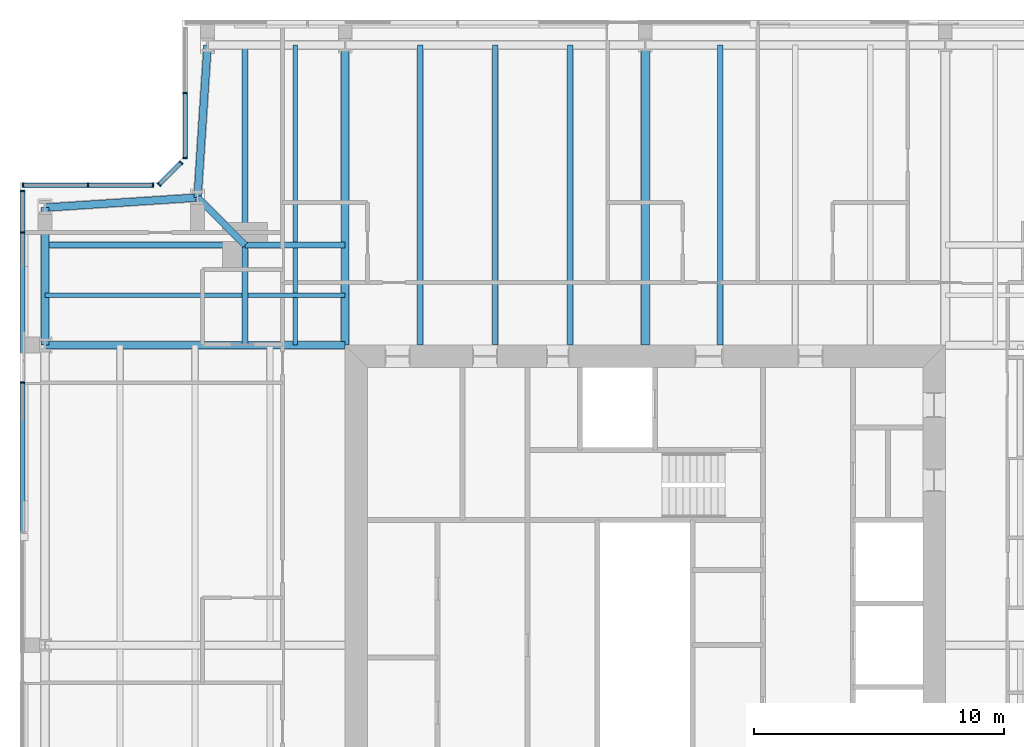
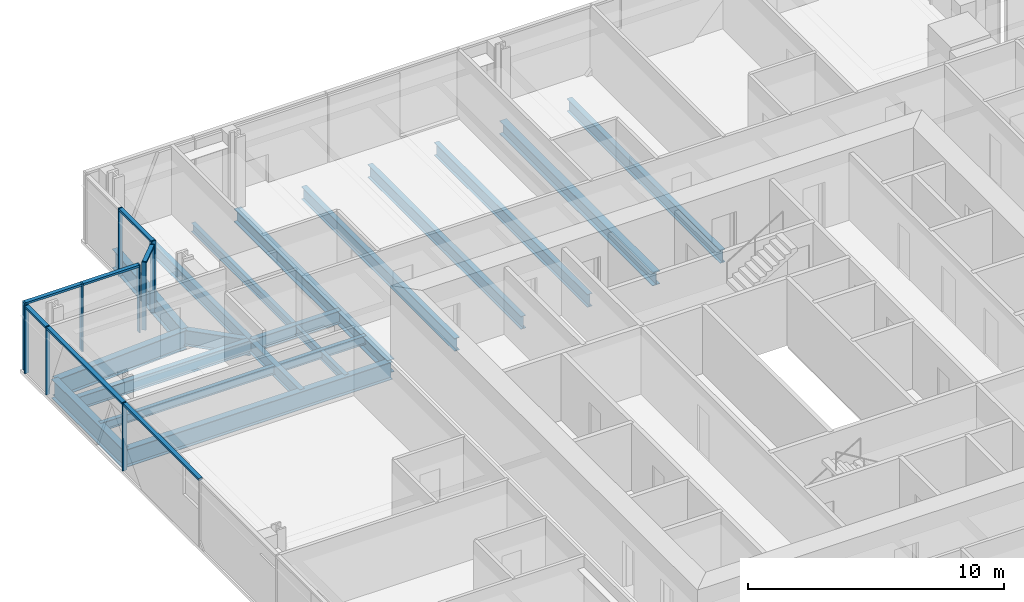
# One storey, part 7 of 18: 20 beams, 17 members, 4 elements without a shape of their own.
"""IFC4 building model written with IfcOpenShell, lengths in metres."""

from ifc_helpers import new_model, si_unit, direction, frame, origin, origin_2d, place, context, subcontext, project, spatial, rectangle, i_section, extrude, material, material_profile, profile_set, type_object, element, aggregate, save


model = new_model("IFC4")

# Units and contexts
model_context = context("Model", 3, precision=1e-05, world=origin(), true_north=direction((0.0, 1.0)))
body_context = subcontext(model_context, "Body", "Model", "MODEL_VIEW")
ifc_project = project(units=[si_unit("LENGTHUNIT", "METRE"), si_unit("AREAUNIT", "SQUARE_METRE"), si_unit("VOLUMEUNIT", "CUBIC_METRE"), si_unit("PLANEANGLEUNIT", "RADIAN"), si_unit("MASSUNIT", "GRAM", prefix="KILO")], contexts=[model_context])

# Site, building, storey
site_placement = place(None, origin())
site = spatial("IfcSite", under=ifc_project, at=site_placement, CompositionType="ELEMENT")
building_placement = place(site_placement, origin())
building = spatial("IfcBuilding", under=site, at=building_placement, Name="Fenwick Lantern Interchange", CompositionType="ELEMENT")
storey_placement = place(building_placement, frame((0.0, 0.0, 290.0)))
storey = spatial("IfcBuildingStorey", under=building, at=storey_placement, Name="L70", CompositionType="ELEMENT", Elevation=290.0)

# Beams
ifc_material_1 = material(Name="Steel ASTM A992 Grade 50", Category="steel")
ifc_material_profile_1 = material_profile(ifc_material_1, i_section(OverallWidth=0.3046875, OverallDepth=0.911865234375, WebThickness=0.015869140625, FlangeThickness=0.02392578125, at=origin_2d()), Name="W36X150")
ifc_profile_set_1 = profile_set([ifc_material_profile_1], Name="Steel ASTM A992 Grade 50")
beam_type_1 = type_object("IfcBeamType", Name="EDGE BEAM W36X150", PredefinedType="SPANDREL", material=ifc_profile_set_1)
for number, where, z_axis, x_axis, name in (
    (1, (7.5, 49.0, -0.60595703125), (-0.065416293237, -0.997858060337, 0.0), (0.997858060337, -0.065416293237, 0.0), "L70/FR/N/EBR1"),
    (2, (7.10009765625, 42.89990234375, -0.60595703125), (-0.997858060337, -0.065416293237, 0.0), (0.065416293237, -0.997858060337, 0.0), "L70/FR/N/EBR2"),
):
    element("IfcBeam", number, at=place(storey_placement, frame(where, z_axis=z_axis, x_axis=x_axis)), inside=storey, type_object=beam_type_1, Name=name, PredefinedType="SPANDREL", context=body_context, shape_type="SweptSolid", body=[
        extrude(i_section(OverallWidth=0.3046875, OverallDepth=0.911865234375, WebThickness=0.015869140625, FlangeThickness=0.02392578125, at=origin_2d()), origin(), (0.0, 0.0, 1.0), 6.11328125),
    ])
beam_1_placement = place(storey_placement, frame((1.0, 42.5, -0.60595703125), z_axis=(0.0, -1.0, 0.0), x_axis=(1.0, 0.0, 0.0)))
element("IfcBeam", 3, at=beam_1_placement, inside=storey, type_object=beam_type_1, Name="L70/FR/W/EB1", PredefinedType="SPANDREL", context=body_context, shape_type="SweptSolid", body=[
    extrude(i_section(OverallWidth=0.3046875, OverallDepth=0.911865234375, WebThickness=0.015869140625, FlangeThickness=0.02392578125, at=origin_2d()), origin(), (0.0, 0.0, 1.0), 5.5),
])
ifc_material_profile_2 = material_profile(ifc_material_1, i_section(OverallWidth=0.22900390625, OverallDepth=0.612060546875, WebThickness=0.011962890625, FlangeThickness=0.01953125, at=origin_2d()), Name="W24X84")
ifc_profile_set_2 = profile_set([ifc_material_profile_2], Name="Steel ASTM A992 Grade 50")
beam_type_2 = type_object("IfcBeamType", Name="FLOOR BEAM W24X84", PredefinedType="BEAM", material=ifc_profile_set_2)
for number, where, z_axis, x_axis, name in (
    (4, (28.0, 49.0, -0.4560546875), (0.0, -1.0, 0.0), (1.0, 0.0, 0.0), "L70/FR/N/R04"),
    (5, (22.0, 49.0, -0.4560546875), (0.0, -1.0, 0.0), (1.0, 0.0, 0.0), "L70/FR/N/R06"),
    (6, (19.0, 49.0, -0.4560546875), (0.0, -1.0, 0.0), (1.0, 0.0, 0.0), "L70/FR/N/R07"),
    (7, (16.0, 49.0, -0.4560546875), (0.0, -1.0, 0.0), (1.0, 0.0, 0.0), "L70/FR/N/R08"),
):
    element("IfcBeam", number, at=place(storey_placement, frame(where, z_axis=z_axis, x_axis=x_axis)), inside=storey, type_object=beam_type_2, Name=name, PredefinedType="BEAM", context=body_context, shape_type="SweptSolid", body=[
        extrude(i_section(OverallWidth=0.22900390625, OverallDepth=0.612060546875, WebThickness=0.011962890625, FlangeThickness=0.01953125, at=origin_2d()), origin(), (0.0, 0.0, 1.0), 12.0),
    ])

# Curtain wall, members
ifc_material_2 = material(Name="Aluminium curtain wall frame", Category="aluminium")
curtain_wall_type = type_object("IfcCurtainWallType", Name="HOTEL CURTAIN WALL", PredefinedType="USERDEFINED", material=ifc_material_2)
curtain_wall_1_placement = place(storey_placement, origin())
curtain_wall_1 = element("IfcCurtainWall", 8, at=curtain_wall_1_placement, inside=storey, type_object=curtain_wall_type, Name="Hotel curtain wall 10", ObjectType="HOTEL CURTAIN WALL", PredefinedType="USERDEFINED")
ifc_material_3 = material(Name="Aluminium extrusion", Category="aluminium")
ifc_material_profile_3 = material_profile(ifc_material_3, rectangle(XDim=0.179931640625, YDim=0.06005859375, at=origin_2d()), Name="HOTEL CURTAIN WALL MULLION 60 X 180")
ifc_profile_set_3 = profile_set([ifc_material_profile_3], Name="Aluminium extrusion")
member_type_1 = type_object("IfcMemberType", Name="HOTEL CURTAIN WALL MULLION 60 X 180", PredefinedType="MULLION", material=ifc_profile_set_3)
member_1_placement = place(storey_placement, frame((6.60009765625, 47.079345703125, 0.0), z_axis=(0.0, 0.0, 1.0), x_axis=(1.0, 0.0, 0.0)))
member_1 = element("IfcMember", 9, at=member_1_placement, type_object=member_type_1, Name="L70/CW/10/M01", PredefinedType="MULLION", context=body_context, shape_type="SweptSolid", body=[
    extrude(rectangle(XDim=0.179931640625, YDim=0.06005859375, at=origin_2d()), origin(), (0.0, 0.0, 1.0), 3.25),
])
member_2_placement = place(storey_placement, frame((6.60009765625, 44.488525390625, 0.0), z_axis=(0.0, 0.0, 1.0), x_axis=(1.0, 0.0, 0.0)))
member_2 = element("IfcMember", 10, at=member_2_placement, type_object=member_type_1, Name="L70/CW/10/M02", PredefinedType="MULLION", context=body_context, shape_type="SweptSolid", body=[
    extrude(rectangle(XDim=0.179931640625, YDim=0.06005859375, at=origin_2d()), origin(), (0.0, 0.0, 1.0), 3.25),
])

curtain_wall_2_placement = place(storey_placement, origin())
curtain_wall_2 = element("IfcCurtainWall", 11, at=curtain_wall_2_placement, inside=storey, type_object=curtain_wall_type, Name="Hotel curtain wall 11", ObjectType="HOTEL CURTAIN WALL", PredefinedType="USERDEFINED")
member_3_placement = place(storey_placement, frame((6.437255859375, 44.2958984375, 0.0), z_axis=(0.0, 0.0, 1.0), x_axis=(0.707106781187, -0.707106781187, 0.0)))
member_3 = element("IfcMember", 12, at=member_3_placement, type_object=member_type_1, Name="L70/CW/11/M00", PredefinedType="MULLION", context=body_context, shape_type="SweptSolid", body=[
    extrude(rectangle(XDim=0.179931640625, YDim=0.06005859375, at=origin_2d()), origin(), (0.0, 0.0, 1.0), 3.25),
])
member_4_placement = place(storey_placement, frame((5.562744140625, 43.421142578125, 0.0), z_axis=(0.0, 0.0, 1.0), x_axis=(0.707106781187, -0.707106781187, 0.0)))
member_4 = element("IfcMember", 13, at=member_4_placement, type_object=member_type_1, Name="L70/CW/11/M01", PredefinedType="MULLION", context=body_context, shape_type="SweptSolid", body=[
    extrude(rectangle(XDim=0.179931640625, YDim=0.06005859375, at=origin_2d()), origin(), (0.0, 0.0, 1.0), 3.25),
])

curtain_wall_3_placement = place(storey_placement, origin())
curtain_wall_3 = element("IfcCurtainWall", 14, at=curtain_wall_3_placement, inside=storey, type_object=curtain_wall_type, Name="Hotel curtain wall 12", ObjectType="HOTEL CURTAIN WALL", PredefinedType="USERDEFINED")
member_5_placement = place(storey_placement, frame((5.3115234375, 43.39990234375, 0.0), z_axis=(0.0, 0.0, 1.0), x_axis=(0.0, -1.0, 0.0)))
member_5 = element("IfcMember", 15, at=member_5_placement, type_object=member_type_1, Name="L70/CW/12/M00", PredefinedType="MULLION", context=body_context, shape_type="SweptSolid", body=[
    extrude(rectangle(XDim=0.179931640625, YDim=0.06005859375, at=origin_2d()), origin(), (0.0, 0.0, 1.0), 3.25),
])
member_6_placement = place(storey_placement, frame((2.720703125, 43.39990234375, 0.0), z_axis=(0.0, 0.0, 1.0), x_axis=(0.0, -1.0, 0.0)))
member_6 = element("IfcMember", 16, at=member_6_placement, type_object=member_type_1, Name="L70/CW/12/M01", PredefinedType="MULLION", context=body_context, shape_type="SweptSolid", body=[
    extrude(rectangle(XDim=0.179931640625, YDim=0.06005859375, at=origin_2d()), origin(), (0.0, 0.0, 1.0), 3.25),
])
member_7_placement = place(storey_placement, frame((0.1298828125, 43.39990234375, 0.0), z_axis=(0.0, 0.0, 1.0), x_axis=(0.0, -1.0, 0.0)))
member_7 = element("IfcMember", 17, at=member_7_placement, type_object=member_type_1, Name="L70/CW/12/M02", PredefinedType="MULLION", context=body_context, shape_type="SweptSolid", body=[
    extrude(rectangle(XDim=0.179931640625, YDim=0.06005859375, at=origin_2d()), origin(), (0.0, 0.0, 1.0), 3.25),
])

curtain_wall_4_placement = place(storey_placement, origin())
curtain_wall_4 = element("IfcCurtainWall", 18, at=curtain_wall_4_placement, inside=storey, type_object=curtain_wall_type, Name="Hotel curtain wall 13", ObjectType="HOTEL CURTAIN WALL", PredefinedType="USERDEFINED")
member_8_placement = place(storey_placement, frame((0.10009765625, 43.169921875, 0.0), z_axis=(0.0, 0.0, 1.0), x_axis=(1.0, 0.0, 0.0)))
member_8 = element("IfcMember", 19, at=member_8_placement, type_object=member_type_1, Name="L70/CW/13/M00", PredefinedType="MULLION", context=body_context, shape_type="SweptSolid", body=[
    extrude(rectangle(XDim=0.179931640625, YDim=0.06005859375, at=origin_2d()), origin(), (0.0, 0.0, 1.0), 3.25),
])
member_9_placement = place(storey_placement, frame((0.10009765625, 41.5, 0.0), z_axis=(0.0, 0.0, 1.0), x_axis=(1.0, 0.0, 0.0)))
member_9 = element("IfcMember", 20, at=member_9_placement, type_object=member_type_1, Name="L70/CW/13/M01", PredefinedType="MULLION", context=body_context, shape_type="SweptSolid", body=[
    extrude(rectangle(XDim=0.179931640625, YDim=0.06005859375, at=origin_2d()), origin(), (0.0, 0.0, 1.0), 3.25),
])
member_10_placement = place(storey_placement, frame((0.10009765625, 35.5, 0.0), z_axis=(0.0, 0.0, 1.0), x_axis=(1.0, 0.0, 0.0)))
member_10 = element("IfcMember", 21, at=member_10_placement, type_object=member_type_1, Name="L70/CW/13/M02", PredefinedType="MULLION", context=body_context, shape_type="SweptSolid", body=[
    extrude(rectangle(XDim=0.179931640625, YDim=0.06005859375, at=origin_2d()), origin(), (0.0, 0.0, 1.0), 3.25),
])

# Member
ifc_material_profile_4 = material_profile(ifc_material_3, rectangle(XDim=0.179931640625, YDim=0.10009765625, at=origin_2d()), Name="HOTEL CURTAIN WALL TRANSOM 100 X 180")
ifc_profile_set_4 = profile_set([ifc_material_profile_4], Name="Aluminium extrusion")
member_type_2 = type_object("IfcMemberType", Name="HOTEL CURTAIN WALL TRANSOM 100 X 180", PredefinedType="MULLION", material=ifc_profile_set_4)
member_11_placement = place(storey_placement, frame((6.60009765625, 47.04931640625, 3.199951171875), z_axis=(0.0, -1.0, 0.0), x_axis=(1.0, 0.0, 0.0)))
member_11 = element("IfcMember", 22, at=member_11_placement, type_object=member_type_2, Name="L70/CW/10/T01", PredefinedType="MULLION", context=body_context, shape_type="SweptSolid", body=[
    extrude(rectangle(XDim=0.179931640625, YDim=0.10009765625, at=origin_2d()), origin(), (0.0, 0.0, 1.0), 2.53076171875),
])

aggregate(curtain_wall_1, [member_1, member_2, member_11])

member_12_placement = place(storey_placement, frame((6.416259765625, 44.274658203125, 3.199951171875), z_axis=(-0.707210470133, -0.707003077033, 0.0), x_axis=(0.707003077033, -0.707210470133, 0.0)))
member_12 = element("IfcMember", 23, at=member_12_placement, type_object=member_type_2, Name="L70/CW/11/T00", PredefinedType="MULLION", context=body_context, shape_type="SweptSolid", body=[
    extrude(rectangle(XDim=0.179931640625, YDim=0.10009765625, at=origin_2d()), origin(), (0.0, 0.0, 1.0), 1.17724609375),
])

aggregate(curtain_wall_2, [member_3, member_4, member_12])

member_13_placement = place(storey_placement, frame((5.281494140625, 43.39990234375, 3.199951171875), z_axis=(-1.0, 0.0, 0.0), x_axis=(0.0, -1.0, 0.0)))
member_13 = element("IfcMember", 24, at=member_13_placement, type_object=member_type_2, Name="L70/CW/12/T00", PredefinedType="MULLION", context=body_context, shape_type="SweptSolid", body=[
    extrude(rectangle(XDim=0.179931640625, YDim=0.10009765625, at=origin_2d()), origin(), (0.0, 0.0, 1.0), 2.53076171875),
])

member_14_placement = place(storey_placement, frame((2.690673828125, 43.39990234375, 3.199951171875), z_axis=(-1.0, 0.0, 0.0), x_axis=(0.0, -1.0, 0.0)))
member_14 = element("IfcMember", 25, at=member_14_placement, type_object=member_type_2, Name="L70/CW/12/T01", PredefinedType="MULLION", context=body_context, shape_type="SweptSolid", body=[
    extrude(rectangle(XDim=0.179931640625, YDim=0.10009765625, at=origin_2d()), origin(), (0.0, 0.0, 1.0), 2.53076171875),
])

aggregate(curtain_wall_3, [member_5, member_6, member_7, member_13, member_14])

member_15_placement = place(storey_placement, frame((0.10009765625, 43.139892578125, 3.199951171875), z_axis=(0.0, -1.0, 0.0), x_axis=(1.0, 0.0, 0.0)))
member_15 = element("IfcMember", 26, at=member_15_placement, type_object=member_type_2, Name="L70/CW/13/T00", PredefinedType="MULLION", context=body_context, shape_type="SweptSolid", body=[
    extrude(rectangle(XDim=0.179931640625, YDim=0.10009765625, at=origin_2d()), origin(), (0.0, 0.0, 1.0), 1.60986328125),
])

member_16_placement = place(storey_placement, frame((0.10009765625, 41.469970703125, 3.199951171875), z_axis=(0.0, -1.0, 0.0), x_axis=(1.0, 0.0, 0.0)))
member_16 = element("IfcMember", 27, at=member_16_placement, type_object=member_type_2, Name="L70/CW/13/T01", PredefinedType="MULLION", context=body_context, shape_type="SweptSolid", body=[
    extrude(rectangle(XDim=0.179931640625, YDim=0.10009765625, at=origin_2d()), origin(), (0.0, 0.0, 1.0), 5.93994140625),
])

member_17_placement = place(storey_placement, frame((0.10009765625, 35.469970703125, 3.199951171875), z_axis=(0.0, -1.0, 0.0), x_axis=(1.0, 0.0, 0.0)))
member_17 = element("IfcMember", 28, at=member_17_placement, type_object=member_type_2, Name="L70/CW/13/T02", PredefinedType="MULLION", context=body_context, shape_type="SweptSolid", body=[
    extrude(rectangle(XDim=0.179931640625, YDim=0.10009765625, at=origin_2d()), origin(), (0.0, 0.0, 1.0), 5.93994140625),
])

aggregate(curtain_wall_4, [member_8, member_9, member_10, member_15, member_16, member_17])

# Beams
ifc_material_profile_5 = material_profile(ifc_material_1, i_section(OverallWidth=0.177734375, OverallDepth=0.406494140625, WebThickness=0.0078125, FlangeThickness=0.012939453125, at=origin_2d()), Name="W16X40")
ifc_profile_set_5 = profile_set([ifc_material_profile_5], Name="Steel ASTM A992 Grade 50")
beam_type_3 = type_object("IfcBeamType", Name="INFILL BEAM W16X40", PredefinedType="JOIST", material=ifc_profile_set_5)
beam_2_placement = place(storey_placement, frame((1.0, 39.0, -0.353271484375), z_axis=(1.0, 0.0, 0.0), x_axis=(0.0, 1.0, 0.0)))
element("IfcBeam", 29, at=beam_2_placement, inside=storey, type_object=beam_type_3, Name="L70/FR/W/J1", PredefinedType="JOIST", context=body_context, shape_type="SweptSolid", body=[
    extrude(i_section(OverallWidth=0.177734375, OverallDepth=0.406494140625, WebThickness=0.0078125, FlangeThickness=0.012939453125, at=origin_2d()), origin(), (0.0, 0.0, 1.0), 7.885498046875),
])
beam_3_placement = place(storey_placement, frame((9.114501953125, 39.0, -0.353271484375), z_axis=(1.0, 0.0, 0.0), x_axis=(0.0, 1.0, 0.0)))
element("IfcBeam", 30, at=beam_3_placement, inside=storey, type_object=beam_type_3, Name="L70/FR/W/J2", PredefinedType="JOIST", context=body_context, shape_type="SweptSolid", body=[
    extrude(i_section(OverallWidth=0.177734375, OverallDepth=0.406494140625, WebThickness=0.0078125, FlangeThickness=0.012939453125, at=origin_2d()), origin(), (0.0, 0.0, 1.0), 3.885498046875),
])
beam_4_placement = place(storey_placement, frame((11.0, 49.0, -0.353271484375), z_axis=(0.0, -1.0, 0.0), x_axis=(1.0, 0.0, 0.0)))
element("IfcBeam", 31, at=beam_4_placement, inside=storey, type_object=beam_type_3, Name="L70/FR/W/J3", PredefinedType="JOIST", context=body_context, shape_type="SweptSolid", body=[
    extrude(i_section(OverallWidth=0.177734375, OverallDepth=0.406494140625, WebThickness=0.0078125, FlangeThickness=0.012939453125, at=origin_2d()), origin(), (0.0, 0.0, 1.0), 7.885498046875),
])
beam_5_placement = place(storey_placement, frame((11.0, 40.885498046875, -0.353271484375), z_axis=(0.0, -1.0, 0.0), x_axis=(1.0, 0.0, 0.0)))
element("IfcBeam", 32, at=beam_5_placement, inside=storey, type_object=beam_type_3, Name="L70/FR/W/J4", PredefinedType="JOIST", context=body_context, shape_type="SweptSolid", body=[
    extrude(i_section(OverallWidth=0.177734375, OverallDepth=0.406494140625, WebThickness=0.0078125, FlangeThickness=0.012939453125, at=origin_2d()), origin(), (0.0, 0.0, 1.0), 1.796630859375),
])
beam_6_placement = place(storey_placement, frame((11.0, 38.9111328125, -0.353271484375), z_axis=(0.0, -1.0, 0.0), x_axis=(1.0, 0.0, 0.0)))
element("IfcBeam", 33, at=beam_6_placement, inside=storey, type_object=beam_type_3, Name="L70/FR/W/J5", PredefinedType="JOIST", context=body_context, shape_type="SweptSolid", body=[
    extrude(i_section(OverallWidth=0.177734375, OverallDepth=0.406494140625, WebThickness=0.0078125, FlangeThickness=0.012939453125, at=origin_2d()), origin(), (0.0, 0.0, 1.0), 1.9111328125),
])
ifc_material_profile_6 = material_profile(ifc_material_1, i_section(OverallWidth=0.22900390625, OverallDepth=0.612060546875, WebThickness=0.011962890625, FlangeThickness=0.01953125, at=origin_2d()), Name="W24X84")
ifc_profile_set_6 = profile_set([ifc_material_profile_6], Name="Steel ASTM A992 Grade 50")
beam_type_4 = type_object("IfcBeamType", Name="MEGA COLUMN BEAM W24X84", PredefinedType="BEAM", material=ifc_profile_set_6)
for number, where, z_axis, x_axis, name in (
    (34, (9.0, 41.0, -0.4560546875), (-1.0, 0.0, 0.0), (0.0, -1.0, 0.0), "L70/FR/W/MB1"),
    (35, (9.0, 41.0, -0.4560546875), (0.0, 1.0, 0.0), (-1.0, 0.0, 0.0), "L70/FR/W/MB2"),
):
    element("IfcBeam", number, at=place(storey_placement, frame(where, z_axis=z_axis, x_axis=x_axis)), inside=storey, type_object=beam_type_4, Name=name, PredefinedType="BEAM", context=body_context, shape_type="SweptSolid", body=[
        extrude(i_section(OverallWidth=0.22900390625, OverallDepth=0.612060546875, WebThickness=0.011962890625, FlangeThickness=0.01953125, at=origin_2d()), origin(), (0.0, 0.0, 1.0), 8.0),
    ])
for number, where, z_axis, x_axis, name in (
    (36, (9.0, 41.0, -0.4560546875), (0.0, -1.0, 0.0), (1.0, 0.0, 0.0), "L70/FR/W/MB3"),
    (37, (9.0, 41.0, -0.4560546875), (1.0, 0.0, 0.0), (0.0, 1.0, 0.0), "L70/FR/W/MB4"),
):
    element("IfcBeam", number, at=place(storey_placement, frame(where, z_axis=z_axis, x_axis=x_axis)), inside=storey, type_object=beam_type_4, Name=name, PredefinedType="BEAM", context=body_context, shape_type="SweptSolid", body=[
        extrude(i_section(OverallWidth=0.22900390625, OverallDepth=0.612060546875, WebThickness=0.011962890625, FlangeThickness=0.01953125, at=origin_2d()), origin(), (0.0, 0.0, 1.0), 4.0),
    ])
ifc_material_profile_7 = material_profile(ifc_material_1, i_section(OverallWidth=0.32763671875, OverallDepth=0.622314453125, WebThickness=0.015380859375, FlangeThickness=0.0244140625, at=origin_2d()), Name="W24X131")
ifc_profile_set_7 = profile_set([ifc_material_profile_7], Name="Steel ASTM A992 Grade 50")
beam_type_5 = type_object("IfcBeamType", Name="MOMENT-CONNECTED GIRDER W24X131", PredefinedType="BEAM", material=ifc_profile_set_7)
for number, where, z_axis, x_axis, name in (
    (38, (25.0, 49.0, -0.461181640625), (0.0, -1.0, 0.0), (1.0, 0.0, 0.0), "L70/FR/N/R05"),
    (39, (13.0, 49.0, -0.461181640625), (0.0, -1.0, 0.0), (1.0, 0.0, 0.0), "L70/FR/N/R09"),
):
    element("IfcBeam", number, at=place(storey_placement, frame(where, z_axis=z_axis, x_axis=x_axis)), inside=storey, type_object=beam_type_5, Name=name, PredefinedType="BEAM", context=body_context, shape_type="SweptSolid", body=[
        extrude(i_section(OverallWidth=0.32763671875, OverallDepth=0.622314453125, WebThickness=0.015380859375, FlangeThickness=0.0244140625, at=origin_2d()), origin(), (0.0, 0.0, 1.0), 12.0),
    ])
ifc_material_profile_8 = material_profile(ifc_material_1, i_section(OverallWidth=0.2919921875, OverallDepth=0.845703125, WebThickness=0.015380859375, FlangeThickness=0.0244140625, at=origin_2d()), Name="W33X141")
ifc_profile_set_8 = profile_set([ifc_material_profile_8], Name="Steel ASTM A992 Grade 50")
beam_type_6 = type_object("IfcBeamType", Name="MOMENT-CONNECTED GIRDER W33X141", PredefinedType="BEAM", material=ifc_profile_set_8)
beam_7_placement = place(storey_placement, frame((1.0, 37.0, -0.572998046875), z_axis=(1.0, 0.0, 0.0), x_axis=(0.0, 1.0, 0.0)))
element("IfcBeam", 40, at=beam_7_placement, inside=storey, type_object=beam_type_6, Name="L70/FR/W/R01", PredefinedType="BEAM", context=body_context, shape_type="SweptSolid", body=[
    extrude(i_section(OverallWidth=0.2919921875, OverallDepth=0.845703125, WebThickness=0.015380859375, FlangeThickness=0.0244140625, at=origin_2d()), origin(), (0.0, 0.0, 1.0), 12.0),
])
ifc_material_profile_9 = material_profile(ifc_material_1, i_section(OverallWidth=0.2666015625, OverallDepth=0.7568359375, WebThickness=0.013916015625, FlangeThickness=0.019287109375, at=origin_2d()), Name="W30X108")
ifc_profile_set_9 = profile_set([ifc_material_profile_9], Name="Steel ASTM A992 Grade 50")
beam_type_7 = type_object("IfcBeamType", Name="NOTCH BEAM W30X108", PredefinedType="BEAM", material=ifc_profile_set_9)
beam_8_placement = place(storey_placement, frame((9.0, 41.0, -0.528564453125), z_axis=(-0.707106781187, 0.707106781187, 0.0), x_axis=(-0.707106781187, -0.707106781187, 0.0)))
element("IfcBeam", 41, at=beam_8_placement, inside=storey, type_object=beam_type_7, Name="L70/FR/W/TG", PredefinedType="BEAM", context=body_context, shape_type="SweptSolid", body=[
    extrude(i_section(OverallWidth=0.2666015625, OverallDepth=0.7568359375, WebThickness=0.013916015625, FlangeThickness=0.019287109375, at=origin_2d()), origin(), (0.0, 0.0, 1.0), 2.686767578125),
])

save(model, "model.ifc")
